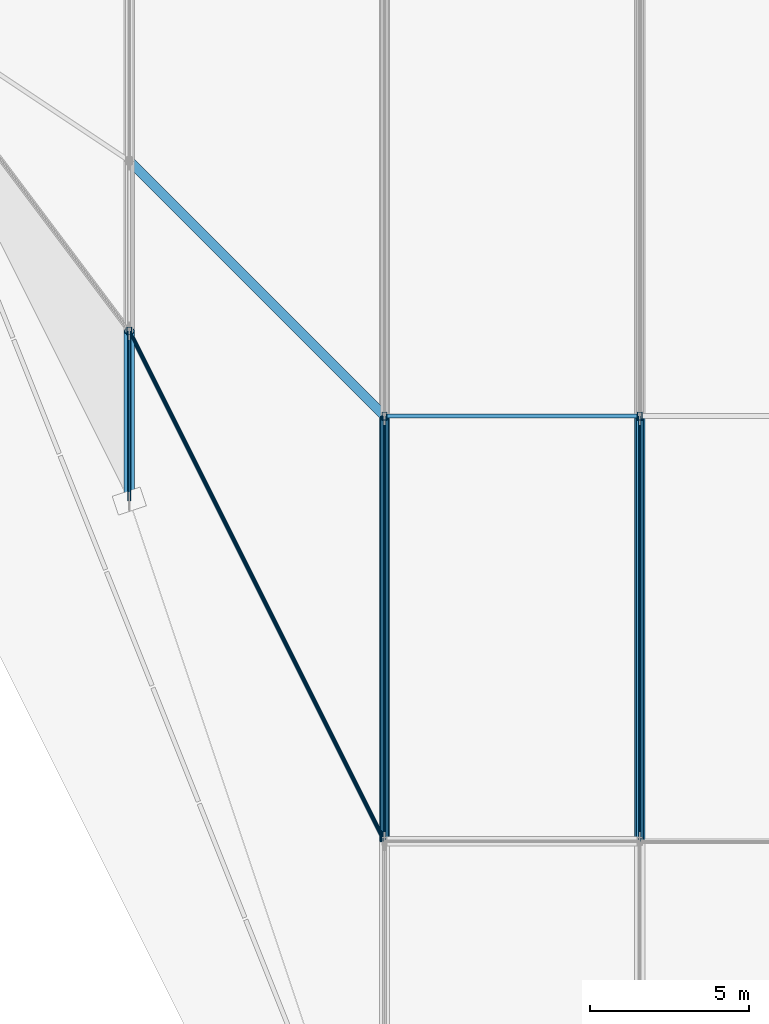
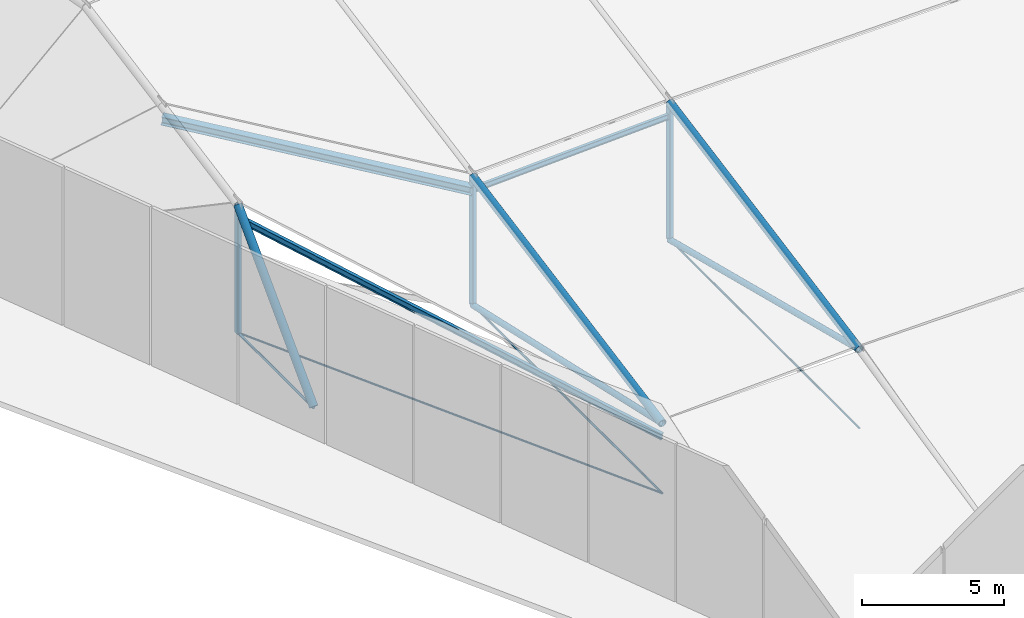
# One storey, part 2 of 30: 15 members.
"""IFC4 building model written with IfcOpenShell, lengths in metres."""

import ifcopenshell
import ifcopenshell.guid

model = None  # the IFC model being written
_history = None  # IfcOwnerHistory: only IFC2X3 demands one
_inside = {}  # id of a spatial element -> (the spatial element, [elements in it])
_under = {}  # id of a project, library or spatial element -> (it, [spatial elements below it])
_declared = {}  # id of a project -> (the project, [libraries it declares])
_typed = {}  # id of a type object -> (the type object, [elements of that type])
_made_of = {}  # id of a material, layer set ... -> (it, [elements and type objects made of it])


def new_model(schema):
    """Start an empty IFC model of exactly this schema.

    Asked for "IFC4X3", IfcOpenShell would pick the latest addendum, in which some entities
    have other attributes; the version numbers below select the first issue.
    IFC2X3 requires an IfcOwnerHistory on every rooted entity: one is made here for all.
    """
    global model, _history
    if schema == "IFC4X3":
        model = ifcopenshell.file(schema_version=(4, 3, 0, 0))
    else:
        model = ifcopenshell.file(schema=schema)
    _inside.clear()
    _under.clear()
    _declared.clear()
    _typed.clear()
    _made_of.clear()
    _history = None
    if model.schema == "IFC2X3":
        org = make("IfcOrganization", Name="unknown")
        user = make(
            "IfcPersonAndOrganization",
            ThePerson=make("IfcPerson", FamilyName="unknown"),
            TheOrganization=org,
        )
        app = make(
            "IfcApplication",
            ApplicationDeveloper=org,
            Version="unknown",
            ApplicationFullName="unknown",
            ApplicationIdentifier="unknown",
        )
        _history = make(
            "IfcOwnerHistory",
            OwningUser=user,
            OwningApplication=app,
            ChangeAction="ADDED",
            CreationDate=0,
        )
    return model


def make(cls, **values):
    """One entity of the class cls with the attributes given. An attribute that is None is left unset."""
    return model.create_entity(
        cls, **{name: value for name, value in values.items() if value is not None}
    )


def rooted(cls, **values):
    """An entity with a GlobalId (a new one), such as an element, a storey or a relation."""
    return make(cls, GlobalId=ifcopenshell.guid.new(), OwnerHistory=_history, **values)


def si_unit(unit_type, name, prefix=None):
    """IfcSIUnit, for example si_unit("LENGTHUNIT", "METRE", prefix="MILLI")."""
    return make("IfcSIUnit", UnitType=unit_type, Prefix=prefix, Name=name)


def assignment(units):
    """IfcUnitAssignment: the units of a project."""
    return None if units is None else make("IfcUnitAssignment", Units=units)


def point(xyz):
    """IfcCartesianPoint."""
    return None if xyz is None else make("IfcCartesianPoint", Coordinates=xyz)


def direction(xyz):
    """IfcDirection."""
    return None if xyz is None else make("IfcDirection", DirectionRatios=xyz)


def frame(location, z_axis=None, x_axis=None):
    """IfcAxis2Placement3D, a coordinate frame: its origin and axes. An axis left out is left unset."""
    return make(
        "IfcAxis2Placement3D",
        Location=point(location),
        Axis=direction(z_axis),
        RefDirection=direction(x_axis),
    )


def frame_2d(location, x_axis=None):
    """IfcAxis2Placement2D, a coordinate frame in the plane: its origin and x axis."""
    return make(
        "IfcAxis2Placement2D", Location=point(location), RefDirection=direction(x_axis)
    )


def origin():
    """The frame at (0, 0, 0) with its axes left unset."""
    return frame((0.0, 0.0, 0.0))


def origin_2d():
    """The frame at (0, 0) in the plane with its x axis left unset."""
    return frame_2d((0.0, 0.0))


def place(relative_to, where):
    """IfcLocalPlacement: puts the frame where relative to a parent placement (None: the world)."""
    return make(
        "IfcLocalPlacement", PlacementRelTo=relative_to, RelativePlacement=where
    )


def context(
    kind, dimensions, precision=None, world=None, true_north=None, identifier=None
):
    """IfcGeometricRepresentationContext, for example the 3D "Model" context."""
    return make(
        "IfcGeometricRepresentationContext",
        ContextIdentifier=identifier,
        ContextType=kind,
        CoordinateSpaceDimension=dimensions,
        Precision=precision,
        WorldCoordinateSystem=world,
        TrueNorth=true_north,
    )


def subcontext(parent, identifier, kind, view, scale=None):
    """IfcGeometricRepresentationSubContext, for example "Body" below "Model"."""
    return make(
        "IfcGeometricRepresentationSubContext",
        ContextIdentifier=identifier,
        ContextType=kind,
        ParentContext=parent,
        TargetScale=scale,
        TargetView=view,
    )


def project(units=None, contexts=None):
    """IfcProject with its units and contexts."""
    return rooted(
        "IfcProject",
        Name="project",
        RepresentationContexts=contexts,
        UnitsInContext=assignment(units),
    )


def spatial(cls, under=None, at=None, **own):
    """A site, building, storey or space (cls), placed at a placement, below another one or the project."""
    s = rooted(cls, ObjectPlacement=at, **own)
    if under is not None:
        _under.setdefault(under.id(), (under, []))[1].append(s)
    return s


def profile(cls, at=None, kind="AREA", **sizes):
    """A parametric profile (cls). Its sizes go by their IFC names, for example OverallWidth=200.0."""
    return make(cls, ProfileType=kind, Position=at, **sizes)


def hollow_rectangle(**sizes):
    """IfcRectangleHollowProfileDef."""
    return profile("IfcRectangleHollowProfileDef", **sizes)


def circle(**sizes):
    """IfcCircleProfileDef."""
    return profile("IfcCircleProfileDef", **sizes)


def hollow_circle(**sizes):
    """IfcCircleHollowProfileDef."""
    return profile("IfcCircleHollowProfileDef", **sizes)


def i_section(**sizes):
    """IfcIShapeProfileDef."""
    return profile("IfcIShapeProfileDef", **sizes)


def extrude(swept, where, along, depth):
    """IfcExtrudedAreaSolid: the profile swept, set in the frame where, extruded along a direction by depth."""
    return make(
        "IfcExtrudedAreaSolid",
        SweptArea=swept,
        Position=where,
        ExtrudedDirection=direction(along),
        Depth=depth,
    )


def shape(context_of_items, identifier, shape_type, items):
    """IfcShapeRepresentation: the items that make up one representation, for example the "Body"."""
    return make(
        "IfcShapeRepresentation",
        ContextOfItems=context_of_items,
        RepresentationIdentifier=identifier,
        RepresentationType=shape_type,
        Items=items,
    )


def material(Name=None, Category=None):
    """IfcMaterial."""
    return make("IfcMaterial", Name=Name, Category=Category)


def material_profile(
    of_material, cross_section, Name=None, Category=None, Priority=None
):
    """IfcMaterialProfile: a cross section and its material."""
    return make(
        "IfcMaterialProfile",
        Name=Name,
        Material=of_material,
        Profile=cross_section,
        Priority=Priority,
        Category=Category,
    )


def profile_set(profiles, Name=None, composite=None):
    """IfcMaterialProfileSet."""
    return make(
        "IfcMaterialProfileSet",
        Name=Name,
        MaterialProfiles=profiles,
        CompositeProfile=composite,
    )


def made_of(thing, what):
    """Note that an element or type object is made of a material, layer set ...; save() writes the relation."""
    if what is not None:
        _made_of.setdefault(what.id(), (what, []))[1].append(thing)
    return thing


def type_object(cls, material=None, **own):
    """A type object (cls), such as IfcWallType, which elements share."""
    return made_of(rooted(cls, **own), material)


def element(
    cls,
    number,
    at=None,
    inside=None,
    cuts=None,
    type_object=None,
    material=None,
    context=None,
    identifier="Body",
    shape_type=None,
    held_by="IfcProductDefinitionShape",
    body=None,
    shapes=None,
    **own,
):
    """One element of the class cls, such as IfcWall. Its Tag is "e" and its number.

    at: its placement. inside: the storey or other place that contains it. cuts: it is an
    opening in that element (IfcRelVoidsElement). A single representation is given by context,
    identifier, shape_type and body (its items); several are given by shapes. held_by: the class
    of the entity that holds the representations. save() writes the other relations.
    """
    e = rooted(cls, Tag="e%d" % number, ObjectPlacement=at, **own)
    if body is not None:
        shapes = [shape(context, identifier, shape_type, body)]
    if shapes is not None:
        e.Representation = make(held_by, Representations=shapes)
    if inside is not None:
        _inside.setdefault(inside.id(), (inside, []))[1].append(e)
    if cuts is not None:
        rooted(
            "IfcRelVoidsElement", RelatingBuildingElement=cuts, RelatedOpeningElement=e
        )
    if type_object is not None:
        _typed.setdefault(type_object.id(), (type_object, []))[1].append(e)
    return made_of(e, material)


def aggregate(whole, parts):
    """IfcRelAggregates: a whole, such as a stair, and the parts it consists of."""
    return rooted("IfcRelAggregates", RelatingObject=whole, RelatedObjects=parts)


def save(model, path):
    """Write the relations noted so far, then the file.

    IfcRelAggregates (storeys below a building ...), IfcRelContainedInSpatialStructure (elements
    in a storey), IfcRelDefinesByType, IfcRelAssociatesMaterial and IfcRelDeclares: one each for
    every whole, place, type object, material and project.
    """
    for whole, parts in _under.values():
        aggregate(whole, parts)
    for where, things in _inside.values():
        rooted(
            "IfcRelContainedInSpatialStructure",
            RelatedElements=things,
            RelatingStructure=where,
        )
    for kind, things in _typed.values():
        rooted("IfcRelDefinesByType", RelatedObjects=things, RelatingType=kind)
    for what, things in _made_of.values():
        rooted("IfcRelAssociatesMaterial", RelatedObjects=things, RelatingMaterial=what)
    for by, libraries in _declared.values():
        rooted("IfcRelDeclares", RelatingContext=by, RelatedDefinitions=libraries)
    model.write(path)


model = new_model("IFC4")

# Units and contexts
model_context = context("Model", 3, precision=1e-05, world=origin(), true_north=direction((0.0, 1.0)))
body_context = subcontext(model_context, "Body", "Model", "MODEL_VIEW")
ifc_project = project(units=[si_unit("LENGTHUNIT", "METRE"), si_unit("AREAUNIT", "SQUARE_METRE"), si_unit("VOLUMEUNIT", "CUBIC_METRE"), si_unit("PLANEANGLEUNIT", "RADIAN"), si_unit("MASSUNIT", "GRAM", prefix="KILO")], contexts=[model_context])

# Site, building, storey
site_placement = place(None, origin())
site = spatial("IfcSite", under=ifc_project, at=site_placement, CompositionType="ELEMENT")
building_placement = place(site_placement, origin())
building = spatial("IfcBuilding", under=site, at=building_placement, Name="Tazarka Park Arena", CompositionType="ELEMENT")
storey_placement = place(building_placement, frame((0.0, 0.0, 29.39990234375)))
storey = spatial("IfcBuildingStorey", under=building, at=storey_placement, Name="Roof", CompositionType="ELEMENT", Elevation=29.39990234375)

# Members
ifc_material_1 = material(Name="Steel S355", Category="steel")
ifc_material_profile_1 = material_profile(ifc_material_1, hollow_circle(Radius=0.122314453125, WallThickness=0.012451171875, at=origin_2d()), Name="Steel S355")
ifc_profile_set_1 = profile_set([ifc_material_profile_1], Name="Steel S355")
member_type_1 = type_object("IfcMemberType", Name="MEM-BR-05", PredefinedType="BRACE", material=ifc_profile_set_1)
member_1_placement = place(storey_placement, frame((64.0, 37.333251953125, 2.950439453125), z_axis=(0.0, 0.975606504186, -0.219526647562), x_axis=(-1.0, 0.0, 0.0)))
element("IfcMember", 1, at=member_1_placement, inside=storey, type_object=member_type_1, Name="CBD-02-1", PredefinedType="BRACE", context=body_context, shape_type="SweptSolid", body=[
    extrude(hollow_circle(Radius=0.122314453125, WallThickness=0.012451171875, at=origin_2d()), origin(), (0.0, 0.0, 1.0), 13.6669921875),
])
member_2_placement = place(storey_placement, frame((72.0, 37.333251953125, 3.3232421875), z_axis=(0.0, 0.969459981923, -0.245249553416), x_axis=(-1.0, 0.0, 0.0)))
element("IfcMember", 2, at=member_2_placement, inside=storey, type_object=member_type_1, Name="CBD-03-1", PredefinedType="BRACE", context=body_context, shape_type="SweptSolid", body=[
    extrude(hollow_circle(Radius=0.122314453125, WallThickness=0.012451171875, at=origin_2d()), origin(), (0.0, 0.0, 1.0), 13.75341796875),
])
ifc_material_2 = material(Name="Locked-coil steel cable S1570", Category="steel")
ifc_material_profile_2 = material_profile(ifc_material_2, circle(Radius=0.0400390625, at=origin_2d()), Name="Locked-coil steel cable S1570")
ifc_profile_set_2 = profile_set([ifc_material_profile_2], Name="Locked-coil steel cable S1570")
member_type_2 = type_object("IfcMemberType", Name="MEM-CBL-01", PredefinedType="USERDEFINED", material=ifc_profile_set_2)
member_3_placement = place(storey_placement, frame((72.0, 37.333251953125, -0.0498046875), z_axis=(0.0, 1.0, 0.0), x_axis=(-1.0, 0.0, 0.0)))
element("IfcMember", 3, at=member_3_placement, inside=storey, type_object=member_type_2, Name="CABLE CBL-01-4-2", ObjectType="CABLE", PredefinedType="USERDEFINED", context=body_context, shape_type="SweptSolid", body=[
    extrude(circle(Radius=0.0400390625, at=origin_2d()), origin(), (0.0, 0.0, 1.0), 13.33349609375),
])
member_4_placement = place(storey_placement, frame((56.0, 53.333251953125, -0.0498046875), z_axis=(0.4472135955, -0.894427191, 0.0), x_axis=(0.894427191, 0.4472135955, 0.0)))
element("IfcMember", 4, at=member_4_placement, inside=storey, type_object=member_type_2, Name="CABLE TRANSVERSE 2-1", ObjectType="CABLE", PredefinedType="USERDEFINED", context=body_context, shape_type="SweptSolid", body=[
    extrude(circle(Radius=0.0400390625, at=origin_2d()), origin(), (0.0, 0.0, 1.0), 17.888427734375),
])
ifc_material_3 = material(Name="Locked-coil steel cable S1570", Category="steel")
ifc_material_profile_3 = material_profile(ifc_material_3, circle(Radius=0.050048828125, at=origin_2d()), Name="Locked-coil steel cable S1570")
ifc_profile_set_3 = profile_set([ifc_material_profile_3], Name="Locked-coil steel cable S1570")
member_type_3 = type_object("IfcMemberType", Name="MEM-CBL-02", PredefinedType="USERDEFINED", material=ifc_profile_set_3)
member_5_placement = place(storey_placement, frame((56.0, 48.0, -0.0498046875), z_axis=(0.0, 1.0, 0.0), x_axis=(-1.0, 0.0, 0.0)))
element("IfcMember", 5, at=member_5_placement, inside=storey, type_object=member_type_3, Name="CABLE CBL-02-2-1", ObjectType="CABLE", PredefinedType="USERDEFINED", context=body_context, shape_type="SweptSolid", body=[
    extrude(circle(Radius=0.050048828125, at=origin_2d()), origin(), (0.0, 0.0, 1.0), 5.333251953125),
])
ifc_material_4 = material(Name="Locked-coil steel cable S1570", Category="steel")
ifc_material_profile_4 = material_profile(ifc_material_4, circle(Radius=0.044921875, at=origin_2d()), Name="Locked-coil steel cable S1570")
ifc_profile_set_4 = profile_set([ifc_material_profile_4], Name="Locked-coil steel cable S1570")
member_type_4 = type_object("IfcMemberType", Name="MEM-CBL-04", PredefinedType="USERDEFINED", material=ifc_profile_set_4)
member_6_placement = place(storey_placement, frame((64.0, 37.333251953125, -0.0498046875), z_axis=(0.0, 1.0, 0.0), x_axis=(-1.0, 0.0, 0.0)))
element("IfcMember", 6, at=member_6_placement, inside=storey, type_object=member_type_4, Name="CABLE CBL-04-3-2", ObjectType="CABLE", PredefinedType="USERDEFINED", context=body_context, shape_type="SweptSolid", body=[
    extrude(circle(Radius=0.044921875, at=origin_2d()), origin(), (0.0, 0.0, 1.0), 13.33349609375),
])
ifc_material_5 = material(Name="Steel S460", Category="steel")
ifc_material_profile_5 = material_profile(ifc_material_5, hollow_circle(Radius=0.161865234375, WallThickness=0.01611328125, at=origin_2d()), Name="Steel S460")
ifc_profile_set_5 = profile_set([ifc_material_profile_5], Name="Steel S460")
member_type_5 = type_object("IfcMemberType", Name="MEM-CH-03", PredefinedType="CHORD", material=ifc_profile_set_5)
member_7_placement = place(storey_placement, frame((56.0, 48.0, 0.0), z_axis=(0.0, 0.699685428343, 0.714451048964), x_axis=(-1.0, 0.0, 0.0)))
element("IfcMember", 7, at=member_7_placement, inside=storey, type_object=member_type_5, Name="CABLE ARCH CHORD 2-1", PredefinedType="CHORD", context=body_context, shape_type="SweptSolid", body=[
    extrude(hollow_circle(Radius=0.161865234375, WallThickness=0.01611328125, at=origin_2d()), origin(), (0.0, 0.0, 1.0), 7.622314453125),
])
for number, where, z_axis, x_axis, name in (
    (8, (64.0, 37.333251953125, 2.950439453125), (0.0, 0.982679772131, 0.185311806005), (-1.0, 0.0, 0.0), "CABLE ARCH CHORD 3-2"),
    (9, (72.0, 37.333251953125, 3.3232421875), (0.0, 0.982679772131, 0.185311806005), (-1.0, 0.0, 0.0), "CABLE ARCH CHORD 4-2"),
):
    element("IfcMember", number, at=place(storey_placement, frame(where, z_axis=z_axis, x_axis=x_axis)), inside=storey, type_object=member_type_5, Name=name, PredefinedType="CHORD", context=body_context, shape_type="SweptSolid", body=[
        extrude(hollow_circle(Radius=0.161865234375, WallThickness=0.01611328125, at=origin_2d()), origin(), (0.0, 0.0, 1.0), 13.568603515625),
    ])
ifc_material_6 = material(Name="Steel S355", Category="steel")
ifc_material_profile_6 = material_profile(ifc_material_6, i_section(OverallWidth=0.1201171875, OverallDepth=0.239990234375, WebThickness=0.006103515625, FlangeThickness=0.009765625, FilletRadius=0.014892578125, at=origin_2d()), Name="Steel S355")
ifc_profile_set_6 = profile_set([ifc_material_profile_6], Name="Steel S355")
member_type_6 = type_object("IfcMemberType", Name="MEM-PR-01", PredefinedType="PURLIN", material=ifc_profile_set_6)
member_8_placement = place(storey_placement, frame((64.0, 50.666748046875, 4.90478515625), z_axis=(0.998915969307, 0.0, 0.046549825596), x_axis=(0.0, 1.0, 0.0)))
element("IfcMember", 10, at=member_8_placement, inside=storey, type_object=member_type_6, Name="RPM-02-02", PredefinedType="PURLIN", context=body_context, shape_type="SweptSolid", body=[
    extrude(i_section(OverallWidth=0.1201171875, OverallDepth=0.239990234375, WebThickness=0.006103515625, FlangeThickness=0.009765625, FilletRadius=0.014892578125, at=origin_2d()), origin(), (0.0, 0.0, 1.0), 8.0087890625),
])
ifc_material_7 = material(Name="Steel S355", Category="steel")
ifc_material_profile_7 = material_profile(ifc_material_7, i_section(OverallWidth=0.135009765625, OverallDepth=0.27001953125, WebThickness=0.006591796875, FlangeThickness=0.01025390625, FilletRadius=0.014892578125, at=origin_2d()), Name="Steel S355")
ifc_profile_set_7 = profile_set([ifc_material_profile_7], Name="Steel S355")
member_type_7 = type_object("IfcMemberType", Name="MEM-PR-03", PredefinedType="PURLIN", material=ifc_profile_set_7)
member_9_placement = place(storey_placement, frame((56.0, 53.333251953125, 4.8857421875), z_axis=(0.442924955495, -0.88584991099, -0.13815722565), x_axis=(0.894427191, 0.4472135955, 0.0)))
element("IfcMember", 11, at=member_9_placement, inside=storey, type_object=member_type_7, Name="RPM-01-01", PredefinedType="PURLIN", context=body_context, shape_type="SweptSolid", body=[
    extrude(i_section(OverallWidth=0.135009765625, OverallDepth=0.27001953125, WebThickness=0.006591796875, FlangeThickness=0.01025390625, FilletRadius=0.014892578125, at=origin_2d()), origin(), (0.0, 0.0, 1.0), 18.061767578125),
])
ifc_material_8 = material(Name="Steel S355", Category="steel")
ifc_material_profile_8 = material_profile(ifc_material_8, i_section(OverallWidth=0.300048828125, OverallDepth=0.35009765625, WebThickness=0.010009765625, FlangeThickness=0.017578125, FilletRadius=0.027099609375, at=origin_2d()), Name="Steel S355")
ifc_profile_set_8 = profile_set([ifc_material_profile_8], Name="Steel S355")
member_type_8 = type_object("IfcMemberType", Name="MEM-PR-04", PredefinedType="PURLIN", material=ifc_profile_set_8)
member_10_placement = place(storey_placement, frame((56.0, 58.666748046875, 5.8916015625), z_axis=(0.704432245985, -0.704432245985, -0.086893162179), x_axis=(0.707106781187, 0.707106781187, 0.0)))
element("IfcMember", 12, at=member_10_placement, inside=storey, type_object=member_type_8, Name="RPM-01-02", PredefinedType="PURLIN", context=body_context, shape_type="SweptSolid", body=[
    extrude(i_section(OverallWidth=0.300048828125, OverallDepth=0.35009765625, WebThickness=0.010009765625, FlangeThickness=0.017578125, FilletRadius=0.027099609375, at=origin_2d()), origin(), (0.0, 0.0, 1.0), 11.356689453125),
])
ifc_material_9 = material(Name="Steel S355", Category="steel")
ifc_material_profile_9 = material_profile(ifc_material_9, hollow_rectangle(XDim=0.14990234375, YDim=0.25, WallThickness=0.010009765625, at=origin_2d()), Name="Steel S355")
ifc_profile_set_9 = profile_set([ifc_material_profile_9], Name="Steel S355")
member_type_9 = type_object("IfcMemberType", Name="MEM-PT-02", PredefinedType="POST", material=ifc_profile_set_9)
member_11_placement = place(storey_placement, frame((56.0, 53.333251953125, -0.0498046875), z_axis=(0.0, 0.0, 1.0), x_axis=(1.0, 0.0, 0.0)))
element("IfcMember", 13, at=member_11_placement, inside=storey, type_object=member_type_9, Name="CBH-01-1", PredefinedType="POST", context=body_context, shape_type="SweptSolid", body=[
    extrude(hollow_rectangle(XDim=0.14990234375, YDim=0.25, WallThickness=0.010009765625, at=origin_2d()), origin(), (0.0, 0.0, 1.0), 5.49560546875),
])
member_12_placement = place(storey_placement, frame((64.0, 50.666748046875, -0.0498046875), z_axis=(0.0, 0.0, 1.0), x_axis=(1.0, 0.0, 0.0)))
element("IfcMember", 14, at=member_12_placement, inside=storey, type_object=member_type_9, Name="CBH-02-2", PredefinedType="POST", context=body_context, shape_type="SweptSolid", body=[
    extrude(hollow_rectangle(XDim=0.14990234375, YDim=0.25, WallThickness=0.010009765625, at=origin_2d()), origin(), (0.0, 0.0, 1.0), 5.5146484375),
])
member_13_placement = place(storey_placement, frame((72.0, 50.666748046875, -0.0498046875), z_axis=(0.0, 0.0, 1.0), x_axis=(1.0, 0.0, 0.0)))
element("IfcMember", 15, at=member_13_placement, inside=storey, type_object=member_type_9, Name="CBH-03-2", PredefinedType="POST", context=body_context, shape_type="SweptSolid", body=[
    extrude(hollow_rectangle(XDim=0.14990234375, YDim=0.25, WallThickness=0.010009765625, at=origin_2d()), origin(), (0.0, 0.0, 1.0), 5.887451171875),
])

save(model, "model.ifc")
